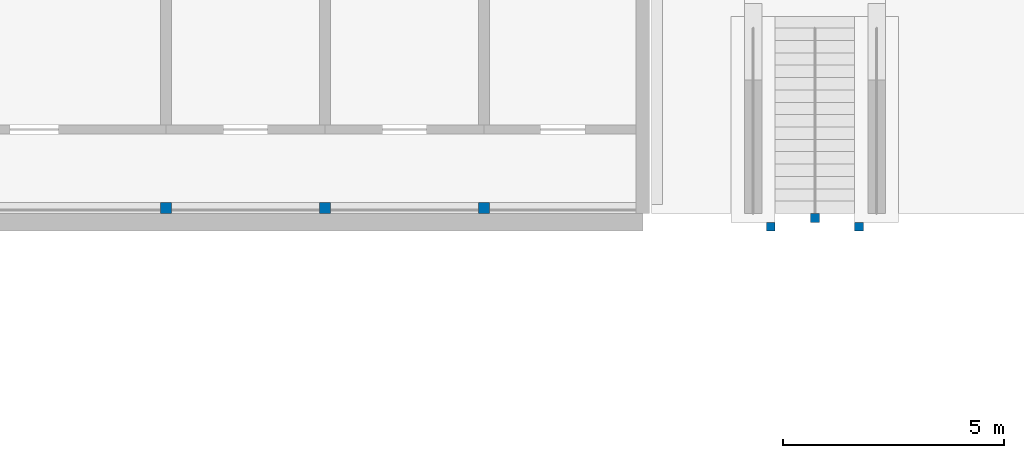
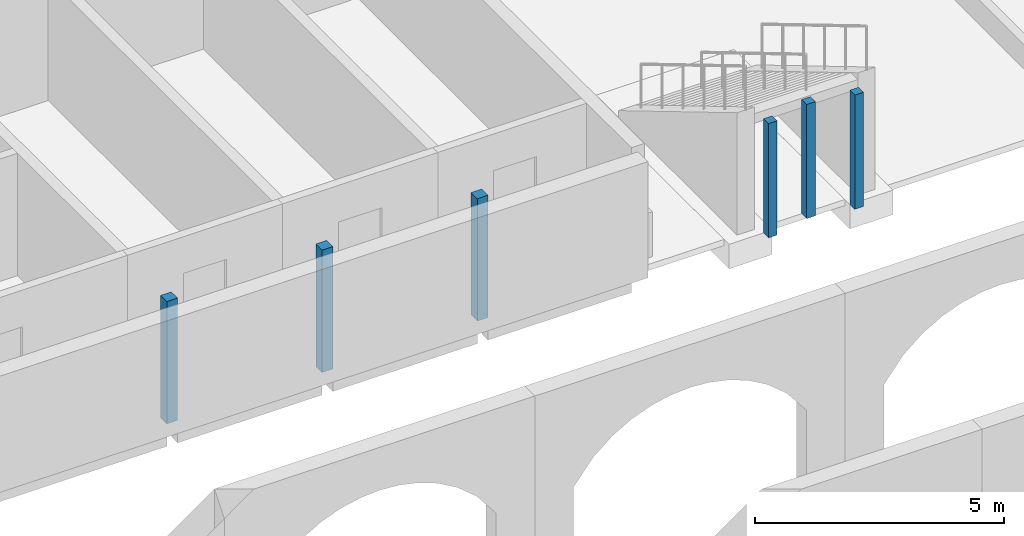
# One storey, part 7 of 122: 6 columns.
"""IFC4 building model written with IfcOpenShell, lengths in metres."""

import ifcopenshell
import ifcopenshell.guid

model = None  # the IFC model being written
_history = None  # IfcOwnerHistory: only IFC2X3 demands one
_inside = {}  # id of a spatial element -> (the spatial element, [elements in it])
_under = {}  # id of a project, library or spatial element -> (it, [spatial elements below it])
_declared = {}  # id of a project -> (the project, [libraries it declares])
_typed = {}  # id of a type object -> (the type object, [elements of that type])
_made_of = {}  # id of a material, layer set ... -> (it, [elements and type objects made of it])


def new_model(schema):
    """Start an empty IFC model of exactly this schema.

    Asked for "IFC4X3", IfcOpenShell would pick the latest addendum, in which some entities
    have other attributes; the version numbers below select the first issue.
    IFC2X3 requires an IfcOwnerHistory on every rooted entity: one is made here for all.
    """
    global model, _history
    if schema == "IFC4X3":
        model = ifcopenshell.file(schema_version=(4, 3, 0, 0))
    else:
        model = ifcopenshell.file(schema=schema)
    _inside.clear()
    _under.clear()
    _declared.clear()
    _typed.clear()
    _made_of.clear()
    _history = None
    if model.schema == "IFC2X3":
        org = make("IfcOrganization", Name="unknown")
        user = make(
            "IfcPersonAndOrganization",
            ThePerson=make("IfcPerson", FamilyName="unknown"),
            TheOrganization=org,
        )
        app = make(
            "IfcApplication",
            ApplicationDeveloper=org,
            Version="unknown",
            ApplicationFullName="unknown",
            ApplicationIdentifier="unknown",
        )
        _history = make(
            "IfcOwnerHistory",
            OwningUser=user,
            OwningApplication=app,
            ChangeAction="ADDED",
            CreationDate=0,
        )
    return model


def make(cls, **values):
    """One entity of the class cls with the attributes given. An attribute that is None is left unset."""
    return model.create_entity(
        cls, **{name: value for name, value in values.items() if value is not None}
    )


def rooted(cls, **values):
    """An entity with a GlobalId (a new one), such as an element, a storey or a relation."""
    return make(cls, GlobalId=ifcopenshell.guid.new(), OwnerHistory=_history, **values)


def si_unit(unit_type, name, prefix=None):
    """IfcSIUnit, for example si_unit("LENGTHUNIT", "METRE", prefix="MILLI")."""
    return make("IfcSIUnit", UnitType=unit_type, Prefix=prefix, Name=name)


def assignment(units):
    """IfcUnitAssignment: the units of a project."""
    return None if units is None else make("IfcUnitAssignment", Units=units)


def point(xyz):
    """IfcCartesianPoint."""
    return None if xyz is None else make("IfcCartesianPoint", Coordinates=xyz)


def direction(xyz):
    """IfcDirection."""
    return None if xyz is None else make("IfcDirection", DirectionRatios=xyz)


def frame(location, z_axis=None, x_axis=None):
    """IfcAxis2Placement3D, a coordinate frame: its origin and axes. An axis left out is left unset."""
    return make(
        "IfcAxis2Placement3D",
        Location=point(location),
        Axis=direction(z_axis),
        RefDirection=direction(x_axis),
    )


def frame_2d(location, x_axis=None):
    """IfcAxis2Placement2D, a coordinate frame in the plane: its origin and x axis."""
    return make(
        "IfcAxis2Placement2D", Location=point(location), RefDirection=direction(x_axis)
    )


def origin():
    """The frame at (0, 0, 0) with its axes left unset."""
    return frame((0.0, 0.0, 0.0))


def origin_2d():
    """The frame at (0, 0) in the plane with its x axis left unset."""
    return frame_2d((0.0, 0.0))


def place(relative_to, where):
    """IfcLocalPlacement: puts the frame where relative to a parent placement (None: the world)."""
    return make(
        "IfcLocalPlacement", PlacementRelTo=relative_to, RelativePlacement=where
    )


def context(
    kind, dimensions, precision=None, world=None, true_north=None, identifier=None
):
    """IfcGeometricRepresentationContext, for example the 3D "Model" context."""
    return make(
        "IfcGeometricRepresentationContext",
        ContextIdentifier=identifier,
        ContextType=kind,
        CoordinateSpaceDimension=dimensions,
        Precision=precision,
        WorldCoordinateSystem=world,
        TrueNorth=true_north,
    )


def subcontext(parent, identifier, kind, view, scale=None):
    """IfcGeometricRepresentationSubContext, for example "Body" below "Model"."""
    return make(
        "IfcGeometricRepresentationSubContext",
        ContextIdentifier=identifier,
        ContextType=kind,
        ParentContext=parent,
        TargetScale=scale,
        TargetView=view,
    )


def project(units=None, contexts=None):
    """IfcProject with its units and contexts."""
    return rooted(
        "IfcProject",
        Name="project",
        RepresentationContexts=contexts,
        UnitsInContext=assignment(units),
    )


def spatial(cls, under=None, at=None, **own):
    """A site, building, storey or space (cls), placed at a placement, below another one or the project."""
    s = rooted(cls, ObjectPlacement=at, **own)
    if under is not None:
        _under.setdefault(under.id(), (under, []))[1].append(s)
    return s


def profile(cls, at=None, kind="AREA", **sizes):
    """A parametric profile (cls). Its sizes go by their IFC names, for example OverallWidth=200.0."""
    return make(cls, ProfileType=kind, Position=at, **sizes)


def rectangle(**sizes):
    """IfcRectangleProfileDef."""
    return profile("IfcRectangleProfileDef", **sizes)


def extrude(swept, where, along, depth):
    """IfcExtrudedAreaSolid: the profile swept, set in the frame where, extruded along a direction by depth."""
    return make(
        "IfcExtrudedAreaSolid",
        SweptArea=swept,
        Position=where,
        ExtrudedDirection=direction(along),
        Depth=depth,
    )


def shape(context_of_items, identifier, shape_type, items):
    """IfcShapeRepresentation: the items that make up one representation, for example the "Body"."""
    return make(
        "IfcShapeRepresentation",
        ContextOfItems=context_of_items,
        RepresentationIdentifier=identifier,
        RepresentationType=shape_type,
        Items=items,
    )


def material(Name=None, Category=None):
    """IfcMaterial."""
    return make("IfcMaterial", Name=Name, Category=Category)


def material_profile(
    of_material, cross_section, Name=None, Category=None, Priority=None
):
    """IfcMaterialProfile: a cross section and its material."""
    return make(
        "IfcMaterialProfile",
        Name=Name,
        Material=of_material,
        Profile=cross_section,
        Priority=Priority,
        Category=Category,
    )


def profile_set(profiles, Name=None, composite=None):
    """IfcMaterialProfileSet."""
    return make(
        "IfcMaterialProfileSet",
        Name=Name,
        MaterialProfiles=profiles,
        CompositeProfile=composite,
    )


def made_of(thing, what):
    """Note that an element or type object is made of a material, layer set ...; save() writes the relation."""
    if what is not None:
        _made_of.setdefault(what.id(), (what, []))[1].append(thing)
    return thing


def type_object(cls, material=None, **own):
    """A type object (cls), such as IfcWallType, which elements share."""
    return made_of(rooted(cls, **own), material)


def element(
    cls,
    number,
    at=None,
    inside=None,
    cuts=None,
    type_object=None,
    material=None,
    context=None,
    identifier="Body",
    shape_type=None,
    held_by="IfcProductDefinitionShape",
    body=None,
    shapes=None,
    **own,
):
    """One element of the class cls, such as IfcWall. Its Tag is "e" and its number.

    at: its placement. inside: the storey or other place that contains it. cuts: it is an
    opening in that element (IfcRelVoidsElement). A single representation is given by context,
    identifier, shape_type and body (its items); several are given by shapes. held_by: the class
    of the entity that holds the representations. save() writes the other relations.
    """
    e = rooted(cls, Tag="e%d" % number, ObjectPlacement=at, **own)
    if body is not None:
        shapes = [shape(context, identifier, shape_type, body)]
    if shapes is not None:
        e.Representation = make(held_by, Representations=shapes)
    if inside is not None:
        _inside.setdefault(inside.id(), (inside, []))[1].append(e)
    if cuts is not None:
        rooted(
            "IfcRelVoidsElement", RelatingBuildingElement=cuts, RelatedOpeningElement=e
        )
    if type_object is not None:
        _typed.setdefault(type_object.id(), (type_object, []))[1].append(e)
    return made_of(e, material)


def aggregate(whole, parts):
    """IfcRelAggregates: a whole, such as a stair, and the parts it consists of."""
    return rooted("IfcRelAggregates", RelatingObject=whole, RelatedObjects=parts)


def save(model, path):
    """Write the relations noted so far, then the file.

    IfcRelAggregates (storeys below a building ...), IfcRelContainedInSpatialStructure (elements
    in a storey), IfcRelDefinesByType, IfcRelAssociatesMaterial and IfcRelDeclares: one each for
    every whole, place, type object, material and project.
    """
    for whole, parts in _under.values():
        aggregate(whole, parts)
    for where, things in _inside.values():
        rooted(
            "IfcRelContainedInSpatialStructure",
            RelatedElements=things,
            RelatingStructure=where,
        )
    for kind, things in _typed.values():
        rooted("IfcRelDefinesByType", RelatedObjects=things, RelatingType=kind)
    for what, things in _made_of.values():
        rooted("IfcRelAssociatesMaterial", RelatedObjects=things, RelatingMaterial=what)
    for by, libraries in _declared.values():
        rooted("IfcRelDeclares", RelatingContext=by, RelatedDefinitions=libraries)
    model.write(path)


model = new_model("IFC4")

# Units and contexts
model_context = context("Model", 3, precision=1e-05, world=origin(), true_north=direction((0.0, 1.0)))
body_context = subcontext(model_context, "Body", "Model", "MODEL_VIEW")
ifc_project = project(units=[si_unit("LENGTHUNIT", "METRE"), si_unit("AREAUNIT", "SQUARE_METRE"), si_unit("VOLUMEUNIT", "CUBIC_METRE"), si_unit("PLANEANGLEUNIT", "RADIAN"), si_unit("MASSUNIT", "GRAM", prefix="KILO")], contexts=[model_context])

# Site, building, storey
site_placement = place(None, origin())
site = spatial("IfcSite", under=ifc_project, at=site_placement, CompositionType="ELEMENT")
building_placement = place(site_placement, origin())
building = spatial("IfcBuilding", under=site, at=building_placement, Name="Ridgestep Commons", CompositionType="ELEMENT")
storey_placement = place(building_placement, frame((0.0, 0.0, 3.0)))
storey = spatial("IfcBuildingStorey", under=building, at=storey_placement, Name="L01", CompositionType="ELEMENT", Elevation=3.0)

# Columns
ifc_material_1 = material(Name="Precast concrete C40/50", Category="concrete")
ifc_material_profile_1 = material_profile(ifc_material_1, rectangle(XDim=0.199951171875, YDim=0.199951171875, at=origin_2d()), Name="Community landing post 200")
ifc_profile_set_1 = profile_set([ifc_material_profile_1], Name="Precast concrete C40/50")
column_type_1 = type_object("IfcColumnType", Name="Community landing post 200", PredefinedType="COLUMN", material=ifc_profile_set_1)
for number, where, z_axis, x_axis, name in (
    (1, (250.5, 11.449951171875, 0.0), (0.0, 0.0, 1.0), (1.0, 0.0, 0.0), "Landing post"),
    (2, (252.5, 11.449951171875, 0.0), (0.0, 0.0, 1.0), (1.0, 0.0, 0.0), "Landing post"),
    (3, (251.5, 11.64990234375, 0.0), (0.0, 0.0, 1.0), (1.0, 0.0, 0.0), "Landing post"),
):
    element("IfcColumn", number, at=place(storey_placement, frame(where, z_axis=z_axis, x_axis=x_axis)), inside=storey, type_object=column_type_1, Name=name, PredefinedType="COLUMN", context=body_context, shape_type="SweptSolid", body=[
        extrude(rectangle(XDim=0.199951171875, YDim=0.199951171875, at=origin_2d()), origin(), (0.0, 0.0, 1.0), 2.800048828125),
    ])
ifc_material_2 = material(Name="Precast concrete C40/50", Category="concrete")
ifc_material_profile_2 = material_profile(ifc_material_2, rectangle(XDim=0.25, YDim=0.25, at=origin_2d()), Name="PC 250x250")
ifc_profile_set_2 = profile_set([ifc_material_profile_2], Name="Precast concrete C40/50")
column_type_2 = type_object("IfcColumnType", Name="Loggia column 250 x 250", PredefinedType="COLUMN", material=ifc_profile_set_2)
for number, where, z_axis, x_axis, name in (
    (4, (236.800048828125, 11.875, 0.0), (0.0, 0.0, 1.0), (1.0, 0.0, 0.0), "Loggia column D L01"),
    (5, (240.39990234375, 11.875, 0.0), (0.0, 0.0, 1.0), (1.0, 0.0, 0.0), "Loggia column D L01"),
    (6, (244.0, 11.875, 0.0), (0.0, 0.0, 1.0), (1.0, 0.0, 0.0), "Loggia column D L01"),
):
    element("IfcColumn", number, at=place(storey_placement, frame(where, z_axis=z_axis, x_axis=x_axis)), inside=storey, type_object=column_type_2, Name=name, PredefinedType="COLUMN", context=body_context, shape_type="SweptSolid", body=[
        extrude(rectangle(XDim=0.25, YDim=0.25, at=origin_2d()), origin(), (0.0, 0.0, 1.0), 3.0),
    ])

save(model, "model.ifc")
